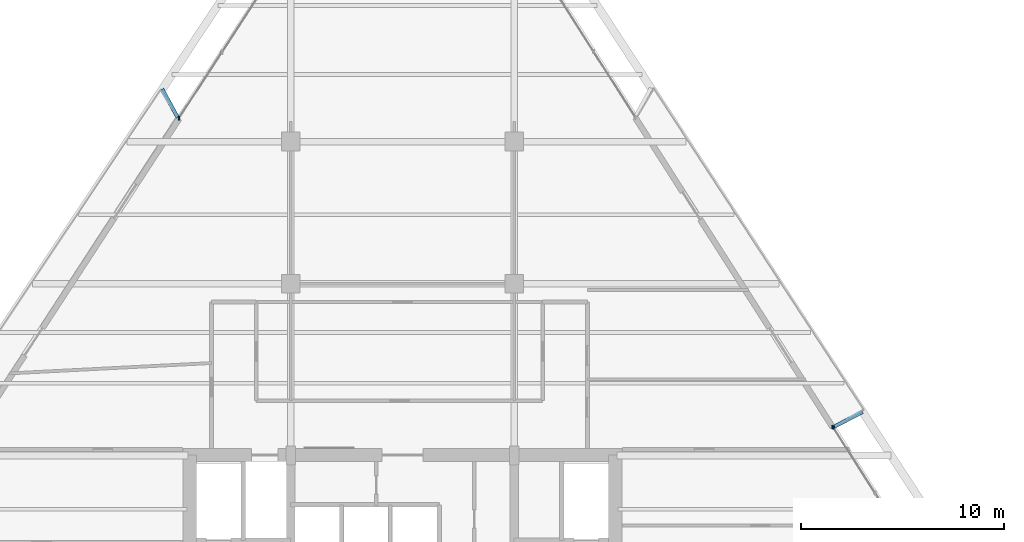
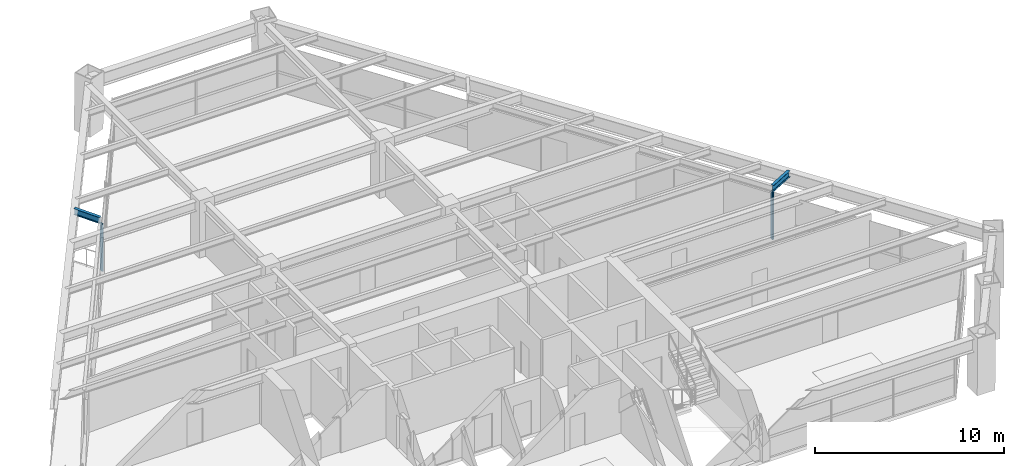
# One storey, part 8 of 15: 4 members, 2 beams, 2 elements without a shape of their own.
"""IFC4 building model written with IfcOpenShell, lengths in metres."""

from ifc_helpers import new_model, si_unit, direction, frame, origin, origin_2d, place, context, subcontext, project, spatial, rectangle, i_section, extrude, source, transform, mapped, material, material_profile, profile_set, type_object, element, aggregate, save


model = new_model("IFC4")

# Units and contexts
model_context = context("Model", 3, precision=1e-05, world=origin(), true_north=direction((0.0, 1.0)))
body_context = subcontext(model_context, "Body", "Model", "MODEL_VIEW")
ifc_project = project(units=[si_unit("LENGTHUNIT", "METRE"), si_unit("AREAUNIT", "SQUARE_METRE"), si_unit("VOLUMEUNIT", "CUBIC_METRE"), si_unit("PLANEANGLEUNIT", "RADIAN"), si_unit("MASSUNIT", "GRAM", prefix="KILO")], contexts=[model_context])

# Site, building, storey
site_placement = place(None, origin())
site = spatial("IfcSite", under=ifc_project, at=site_placement, CompositionType="ELEMENT")
building_placement = place(site_placement, origin())
building = spatial("IfcBuilding", under=site, at=building_placement, Name="Varnakhor Terracotta Tower", CompositionType="ELEMENT")
storey_placement = place(building_placement, frame((0.0, 0.0, 136.699951171875)))
storey = spatial("IfcBuildingStorey", under=building, at=storey_placement, Name="L34", CompositionType="ELEMENT", Elevation=136.699951171875)

# Curtain wall, members
ifc_material_1 = material(Name="Anodised Aluminium Curtain Wall System", Category="aluminium")
curtain_wall_type = type_object("IfcCurtainWallType", Name="CW-SYS-MID-OFFICE", PredefinedType="NOTDEFINED", material=ifc_material_1)
curtain_wall_1_placement = place(storey_placement, origin())
curtain_wall_1 = element("IfcCurtainWall", 1, at=curtain_wall_1_placement, inside=storey, type_object=curtain_wall_type, Name="L34 W Facet Curtain Wall 2", PredefinedType="NOTDEFINED")
ifc_material_2 = material(Name="Anodised Aluminium 6063-T6", Category="aluminium")
ifc_material_profile_1 = material_profile(ifc_material_2, rectangle(XDim=0.070068359375, YDim=0.175048828125, at=origin_2d()), Name="ALU MULLION 70x175")
ifc_profile_set_1 = profile_set([ifc_material_profile_1], Name="Anodised Aluminium 6063-T6")
member_type = type_object("IfcMemberType", Name="CWM-03", PredefinedType="MULLION", material=ifc_profile_set_1)
shared_shape_1 = source(origin(), body_context, "Body", "SweptSolid", [
    extrude(rectangle(XDim=0.070068359375, YDim=0.175048828125, at=origin_2d()), origin(), (0.0, 0.0, 1.0), 3.050048828125),
])
member_1_placement = place(storey_placement, frame((-10.993896484375, 32.662841796875, 0.0), z_axis=(0.0, 0.0, 1.0), x_axis=(1.0, 0.0, 0.0)))
member_1 = element("IfcMember", 2, at=member_1_placement, type_object=member_type, Name="L34 W Facet Curtain Wall 2 Mullion 1", PredefinedType="MULLION", context=body_context, shape_type="MappedRepresentation", body=[
    mapped(shared_shape_1, transform((0.0, 0.0, 0.0), scale=1.0)),
])
member_2_placement = place(storey_placement, frame((-10.993408203125, 32.626953125, 0.0), z_axis=(0.0, 0.0, 1.0), x_axis=(1.0, 0.0, 0.0)))
member_2 = element("IfcMember", 3, at=member_2_placement, type_object=member_type, Name="L34 W Loggia Jamb Closure Mullion 2", PredefinedType="MULLION", context=body_context, shape_type="MappedRepresentation", body=[
    mapped(shared_shape_1, transform((0.0, 0.0, 0.0), scale=1.0)),
])
aggregate(curtain_wall_1, [member_1, member_2])

curtain_wall_2_placement = place(storey_placement, origin())
curtain_wall_2 = element("IfcCurtainWall", 4, at=curtain_wall_2_placement, inside=storey, type_object=curtain_wall_type, Name="L34 E Facet Curtain Wall 2", PredefinedType="NOTDEFINED")
member_3_placement = place(storey_placement, frame((21.204833984375, 17.430419921875, 0.0), z_axis=(0.0, 0.0, 1.0), x_axis=(1.0, 0.0, 0.0)))
member_3 = element("IfcMember", 5, at=member_3_placement, type_object=member_type, Name="L34 E Facet Curtain Wall 2 Mullion 1", PredefinedType="MULLION", context=body_context, shape_type="MappedRepresentation", body=[
    mapped(shared_shape_1, transform((0.0, 0.0, 0.0), scale=1.0)),
])
member_4_placement = place(storey_placement, frame((21.171875, 17.44482421875, 0.0), z_axis=(0.0, 0.0, 1.0), x_axis=(1.0, 0.0, 0.0)))
member_4 = element("IfcMember", 6, at=member_4_placement, type_object=member_type, Name="L34 E Loggia Jamb Closure Mullion 2", PredefinedType="MULLION", context=body_context, shape_type="MappedRepresentation", body=[
    mapped(shared_shape_1, transform((0.0, 0.0, 0.0), scale=1.0)),
])
aggregate(curtain_wall_2, [member_3, member_4])

# Beams
ifc_material_3 = material(Name="Steel S355", Category="steel")
ifc_material_profile_2 = material_profile(ifc_material_3, i_section(OverallWidth=0.179931640625, OverallDepth=0.39990234375, WebThickness=0.008544921875, FlangeThickness=0.013427734375, FilletRadius=0.01806640625, at=origin_2d()), Name="IPE400")
ifc_profile_set_2 = profile_set([ifc_material_profile_2], Name="Steel S355")
beam_type = type_object("IfcBeamType", Name="JST-IPE400", PredefinedType="JOIST", material=ifc_profile_set_2)
shared_shape_2 = source(origin(), body_context, "Body", "SweptSolid", [
    extrude(i_section(OverallWidth=0.179931640625, OverallDepth=0.39990234375, WebThickness=0.008544921875, FlangeThickness=0.013427734375, FilletRadius=0.01806640625, at=origin_2d()), origin(), (0.0, 0.0, 1.0), 1.618408203125),
])
beam_1_placement = place(storey_placement, frame((21.207763671875, 17.4462890625, 3.27001953125), z_axis=(0.887006771218, 0.461756416105, 0.0), x_axis=(-0.461756416105, 0.887006771218, 0.0)))
element("IfcBeam", 7, at=beam_1_placement, inside=storey, type_object=beam_type, Name="L35 E Loggia Tie Beam 2", PredefinedType="JOIST", context=body_context, shape_type="MappedRepresentation", body=[
    mapped(shared_shape_2, transform((0.0, 0.0, 0.0), scale=1.0)),
])
shared_shape_3 = source(origin(), body_context, "Body", "SweptSolid", [
    extrude(i_section(OverallWidth=0.179931640625, OverallDepth=0.39990234375, WebThickness=0.008544921875, FlangeThickness=0.013427734375, FilletRadius=0.01806640625, at=origin_2d()), origin(), (0.0, 0.0, 1.0), 1.596435546875),
])
beam_2_placement = place(storey_placement, frame((-11.059814453125, 32.68359375, 3.27001953125), z_axis=(-0.480779516608, 0.876841522973, 0.0), x_axis=(-0.876841522973, -0.480779516608, 0.0)))
element("IfcBeam", 8, at=beam_2_placement, inside=storey, type_object=beam_type, Name="L35 W Loggia Tie Beam 2", PredefinedType="JOIST", context=body_context, shape_type="MappedRepresentation", body=[
    mapped(shared_shape_3, transform((0.0, 0.0, 0.0), scale=1.0)),
])

save(model, "model.ifc")
